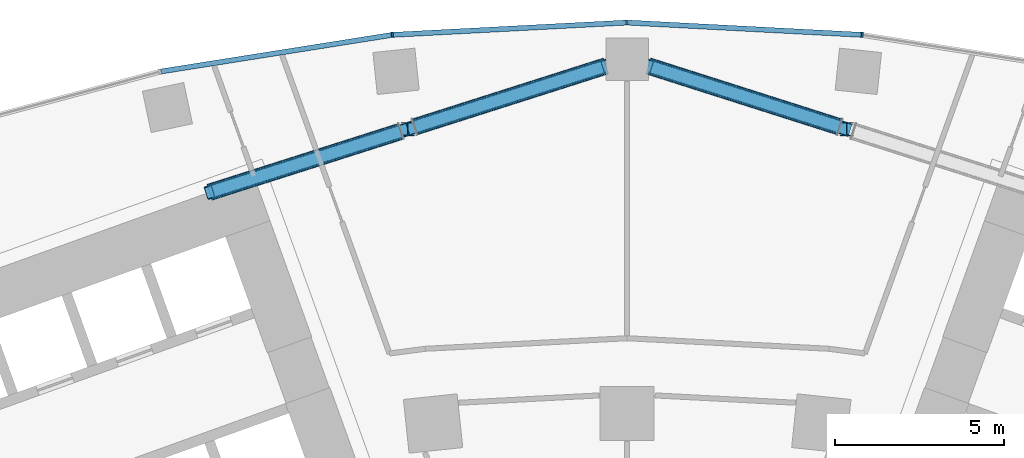
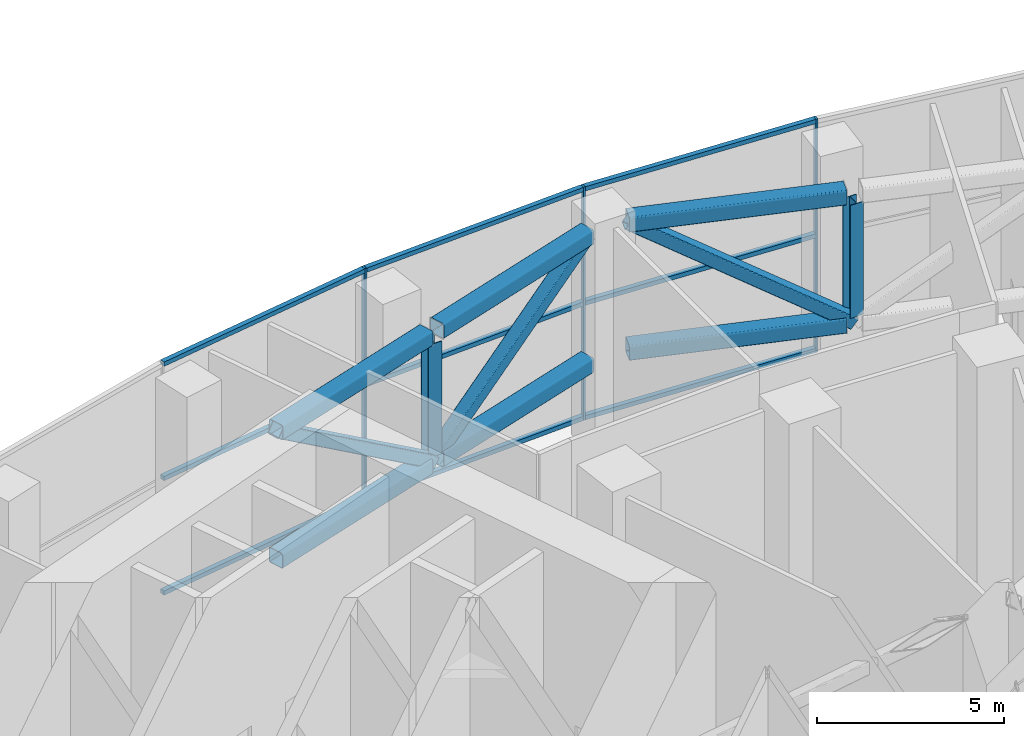
# One storey, part 8 of 33: 23 members, 1 element without a shape of its own.
"""IFC4 building model written with IfcOpenShell, lengths in metres."""

from ifc_helpers import new_model, si_unit, direction, frame, origin, origin_2d, place, context, subcontext, project, spatial, rectangle, hollow_rectangle, i_section, extrude, material, layer, layer_set, material_profile, profile_set, type_object, element, aggregate, save


model = new_model("IFC4")

# Units and contexts
model_context = context("Model", 3, precision=1e-05, world=origin(), true_north=direction((0.0, 1.0)))
body_context = subcontext(model_context, "Body", "Model", "MODEL_VIEW")
ifc_project = project(units=[si_unit("LENGTHUNIT", "METRE"), si_unit("AREAUNIT", "SQUARE_METRE"), si_unit("VOLUMEUNIT", "CUBIC_METRE"), si_unit("PLANEANGLEUNIT", "RADIAN"), si_unit("MASSUNIT", "GRAM", prefix="KILO")], contexts=[model_context])

# Site, building, storey
site_placement = place(None, origin())
site = spatial("IfcSite", under=ifc_project, at=site_placement, CompositionType="ELEMENT")
building_placement = place(site_placement, origin())
building = spatial("IfcBuilding", under=site, at=building_placement, Name="Stone Belt Terrace Tower", CompositionType="ELEMENT")
storey_placement = place(building_placement, frame((0.0, 0.0, 79.39990234375)))
storey = spatial("IfcBuildingStorey", under=building, at=storey_placement, Name="L19", CompositionType="ELEMENT", Elevation=79.39990234375)

# Curtain wall, members
ifc_material_1 = material(Name="Aluminium 6063-T6 anodised frame", Category="aluminium")
ifc_layer = layer(ifc_material_1, 0.14990234375)
ifc_layer_set = layer_set([ifc_layer], Name="CW-A unitised convex-face curtain wall")
curtain_wall_type = type_object("IfcCurtainWallType", Name="CW-A unitised convex-face curtain wall", PredefinedType="NOTDEFINED", material=ifc_layer_set)
curtain_wall_placement = place(storey_placement, origin())
curtain_wall = element("IfcCurtainWall", 1, at=curtain_wall_placement, inside=storey, type_object=curtain_wall_type, Name="CW-A convex face L19", PredefinedType="NOTDEFINED")
ifc_material_profile_1 = material_profile(ifc_material_1, rectangle(XDim=0.14990234375, YDim=0.06005859375, at=origin_2d()), Name="Aluminium 6063-T6 60x150")
ifc_profile_set_1 = profile_set([ifc_material_profile_1], Name="Aluminium 6063-T6 anodised frame")
member_type_1 = type_object("IfcMemberType", Name="CW-A mullion 60 x 150", PredefinedType="MULLION", material=ifc_profile_set_1)
member_1_placement = place(storey_placement, frame((6.958984375, 66.21044921875, 0.0), z_axis=(0.0, 0.0, 1.0), x_axis=(-0.104528463268, -0.994521895368, 0.0)))
member_1 = element("IfcMember", 2, at=member_1_placement, type_object=member_type_1, Name="CW-A mullion 9", PredefinedType="MULLION", context=body_context, shape_type="SweptSolid", body=[
    extrude(rectangle(XDim=0.14990234375, YDim=0.06005859375, at=origin_2d()), origin(), (0.0, 0.0, 1.0), 7.60009765625),
])
member_2_placement = place(storey_placement, frame((0.0, 66.5751953125, 0.0), z_axis=(0.0, 0.0, 1.0), x_axis=(0.0, -1.0, 0.0)))
member_2 = element("IfcMember", 3, at=member_2_placement, type_object=member_type_1, Name="CW-A mullion 10", PredefinedType="MULLION", context=body_context, shape_type="SweptSolid", body=[
    extrude(rectangle(XDim=0.14990234375, YDim=0.06005859375, at=origin_2d()), origin(), (0.0, 0.0, 1.0), 7.60009765625),
])
member_3_placement = place(storey_placement, frame((-6.958984375, 66.21044921875, 0.0), z_axis=(0.0, 0.0, 1.0), x_axis=(0.104528463268, -0.994521895368, 0.0)))
member_3 = element("IfcMember", 4, at=member_3_placement, type_object=member_type_1, Name="CW-A mullion 11", PredefinedType="MULLION", context=body_context, shape_type="SweptSolid", body=[
    extrude(rectangle(XDim=0.14990234375, YDim=0.06005859375, at=origin_2d()), origin(), (0.0, 0.0, 1.0), 7.60009765625),
])
ifc_material_profile_2 = material_profile(ifc_material_1, rectangle(XDim=0.14990234375, YDim=0.139892578125, at=origin_2d()), Name="Aluminium 6063-T6 150x140")
ifc_profile_set_2 = profile_set([ifc_material_profile_2], Name="Aluminium 6063-T6 anodised frame")
member_type_2 = type_object("IfcMemberType", Name="CW-A transom 140 x 150", PredefinedType="USERDEFINED", material=ifc_profile_set_2)
member_4_placement = place(storey_placement, frame((6.925048828125, 66.212158203125, 0.070068359375), z_axis=(-0.998630019135, 0.052326712899, 0.0), x_axis=(-0.052326712899, -0.998630019135, 0.0)))
member_4 = element("IfcMember", 5, at=member_4_placement, type_object=member_type_2, Name="CW-A transom 9.1", ObjectType="TRANSOM", PredefinedType="USERDEFINED", context=body_context, shape_type="SweptSolid", body=[
    extrude(rectangle(XDim=0.14990234375, YDim=0.139892578125, at=origin_2d()), origin(), (0.0, 0.0, 1.0), 6.900634765625),
])
member_5_placement = place(storey_placement, frame((6.925048828125, 66.212158203125, 3.800048828125), z_axis=(-0.998630019135, 0.052326712899, 0.0), x_axis=(-0.052326712899, -0.998630019135, 0.0)))
member_5 = element("IfcMember", 6, at=member_5_placement, type_object=member_type_2, Name="CW-A transom 9.2", ObjectType="TRANSOM", PredefinedType="USERDEFINED", context=body_context, shape_type="SweptSolid", body=[
    extrude(rectangle(XDim=0.14990234375, YDim=0.139892578125, at=origin_2d()), origin(), (0.0, 0.0, 1.0), 6.900634765625),
])
member_6_placement = place(storey_placement, frame((6.925048828125, 66.212158203125, 7.530029296875), z_axis=(-0.998630019135, 0.052326712899, 0.0), x_axis=(-0.052326712899, -0.998630019135, 0.0)))
member_6 = element("IfcMember", 7, at=member_6_placement, type_object=member_type_2, Name="CW-A transom 9.3", ObjectType="TRANSOM", PredefinedType="USERDEFINED", context=body_context, shape_type="SweptSolid", body=[
    extrude(rectangle(XDim=0.14990234375, YDim=0.139892578125, at=origin_2d()), origin(), (0.0, 0.0, 1.0), 6.900634765625),
])
member_7_placement = place(storey_placement, frame((-0.033935546875, 66.5732421875, 0.070068359375), z_axis=(-0.998630019135, -0.052326712899, 0.0), x_axis=(0.052326712899, -0.998630019135, 0.0)))
member_7 = element("IfcMember", 8, at=member_7_placement, type_object=member_type_2, Name="CW-A transom 10.1", ObjectType="TRANSOM", PredefinedType="USERDEFINED", context=body_context, shape_type="SweptSolid", body=[
    extrude(rectangle(XDim=0.14990234375, YDim=0.139892578125, at=origin_2d()), origin(), (0.0, 0.0, 1.0), 6.900634765625),
])
member_8_placement = place(storey_placement, frame((-0.033935546875, 66.5732421875, 3.800048828125), z_axis=(-0.998630019135, -0.052326712899, 0.0), x_axis=(0.052326712899, -0.998630019135, 0.0)))
member_8 = element("IfcMember", 9, at=member_8_placement, type_object=member_type_2, Name="CW-A transom 10.2", ObjectType="TRANSOM", PredefinedType="USERDEFINED", context=body_context, shape_type="SweptSolid", body=[
    extrude(rectangle(XDim=0.14990234375, YDim=0.139892578125, at=origin_2d()), origin(), (0.0, 0.0, 1.0), 6.900634765625),
])
member_9_placement = place(storey_placement, frame((-0.033935546875, 66.5732421875, 7.530029296875), z_axis=(-0.998630019135, -0.052326712899, 0.0), x_axis=(0.052326712899, -0.998630019135, 0.0)))
member_9 = element("IfcMember", 10, at=member_9_placement, type_object=member_type_2, Name="CW-A transom 10.3", ObjectType="TRANSOM", PredefinedType="USERDEFINED", context=body_context, shape_type="SweptSolid", body=[
    extrude(rectangle(XDim=0.14990234375, YDim=0.139892578125, at=origin_2d()), origin(), (0.0, 0.0, 1.0), 6.900634765625),
])
member_10_placement = place(storey_placement, frame((-6.992431640625, 66.205078125, 0.070068359375), z_axis=(-0.987687120531, -0.156442168027, 0.0), x_axis=(0.156442168027, -0.987687120531, 0.0)))
member_10 = element("IfcMember", 11, at=member_10_placement, type_object=member_type_2, Name="CW-A transom 11.1", ObjectType="TRANSOM", PredefinedType="USERDEFINED", context=body_context, shape_type="SweptSolid", body=[
    extrude(rectangle(XDim=0.14990234375, YDim=0.139892578125, at=origin_2d()), origin(), (0.0, 0.0, 1.0), 6.90087890625),
])
member_11_placement = place(storey_placement, frame((-6.992431640625, 66.205078125, 3.800048828125), z_axis=(-0.987687120531, -0.156442168027, 0.0), x_axis=(0.156442168027, -0.987687120531, 0.0)))
member_11 = element("IfcMember", 12, at=member_11_placement, type_object=member_type_2, Name="CW-A transom 11.2", ObjectType="TRANSOM", PredefinedType="USERDEFINED", context=body_context, shape_type="SweptSolid", body=[
    extrude(rectangle(XDim=0.14990234375, YDim=0.139892578125, at=origin_2d()), origin(), (0.0, 0.0, 1.0), 6.90087890625),
])
member_12_placement = place(storey_placement, frame((-6.992431640625, 66.205078125, 7.530029296875), z_axis=(-0.987687120531, -0.156442168027, 0.0), x_axis=(0.156442168027, -0.987687120531, 0.0)))
member_12 = element("IfcMember", 13, at=member_12_placement, type_object=member_type_2, Name="CW-A transom 11.3", ObjectType="TRANSOM", PredefinedType="USERDEFINED", context=body_context, shape_type="SweptSolid", body=[
    extrude(rectangle(XDim=0.14990234375, YDim=0.139892578125, at=origin_2d()), origin(), (0.0, 0.0, 1.0), 6.90087890625),
])
aggregate(curtain_wall, [member_1, member_2, member_3, member_4, member_5, member_6, member_7, member_8, member_9, member_10, member_11, member_12])

# Members
ifc_material_2 = material(Name="Structural steel C345", Category="steel")
ifc_material_profile_3 = material_profile(ifc_material_2, hollow_rectangle(XDim=0.5, YDim=0.5, WallThickness=0.02001953125, InnerFilletRadius=0.0400390625, OuterFilletRadius=0.06005859375, at=origin_2d()), Name="SHS 500x500x20")
ifc_profile_set_3 = profile_set([ifc_material_profile_3], Name="Structural steel C345")
member_type_3 = type_object("IfcMemberType", Name="Outrigger chord SHS 500x500x20", PredefinedType="CHORD", material=ifc_profile_set_3)
for number, where, z_axis, x_axis, name in (
    (14, (-0.625, 65.289794921875, 7.030029296875), (-0.952794051364, -0.303617350764, 0.0), (0.303617350764, -0.952794051364, 0.0), "Outrigger T1 coreA-mid-R top chord 1"),
    (15, (-0.625, 65.289794921875, 2.85009765625), (-0.952794051364, -0.303617350764, 0.0), (0.303617350764, -0.952794051364, 0.0), "Outrigger T1 coreA-mid-R bot chord 1"),
):
    element("IfcMember", number, at=place(storey_placement, frame(where, z_axis=z_axis, x_axis=x_axis)), inside=storey, type_object=member_type_3, Name=name, PredefinedType="CHORD", context=body_context, shape_type="SweptSolid", body=[
        extrude(hollow_rectangle(XDim=0.5, YDim=0.5, WallThickness=0.02001953125, InnerFilletRadius=0.0400390625, OuterFilletRadius=0.06005859375, at=origin_2d()), origin(), (0.0, 0.0, 1.0), 5.943115234375),
    ])
for number, where, z_axis, x_axis, name in (
    (16, (-6.709716796875, 63.350830078125, 7.030029296875), (-0.952802148234, -0.303591940475, 0.0), (0.303591940475, -0.952802148234, 0.0), "Outrigger T1 coreA-mid-R top chord 2"),
    (17, (-6.709716796875, 63.350830078125, 2.85009765625), (-0.952802148234, -0.303591940475, 0.0), (0.303591940475, -0.952802148234, 0.0), "Outrigger T1 coreA-mid-R bot chord 2"),
):
    element("IfcMember", number, at=place(storey_placement, frame(where, z_axis=z_axis, x_axis=x_axis)), inside=storey, type_object=member_type_3, Name=name, PredefinedType="CHORD", context=body_context, shape_type="SweptSolid", body=[
        extrude(hollow_rectangle(XDim=0.5, YDim=0.5, WallThickness=0.02001953125, InnerFilletRadius=0.0400390625, OuterFilletRadius=0.06005859375, at=origin_2d()), origin(), (0.0, 0.0, 1.0), 5.94287109375),
    ])
for number, where, z_axis, x_axis, name in (
    (18, (0.625, 65.289794921875, 7.030029296875), (0.952794051364, -0.303617350764, 0.0), (0.303617350764, 0.952794051364, 0.0), "Outrigger T1 coreB-mid-R top chord 1"),
    (19, (0.625, 65.289794921875, 2.85009765625), (0.952794051364, -0.303617350764, 0.0), (0.303617350764, 0.952794051364, 0.0), "Outrigger T1 coreB-mid-R bot chord 1"),
):
    element("IfcMember", number, at=place(storey_placement, frame(where, z_axis=z_axis, x_axis=x_axis)), inside=storey, type_object=member_type_3, Name=name, PredefinedType="CHORD", context=body_context, shape_type="SweptSolid", body=[
        extrude(hollow_rectangle(XDim=0.5, YDim=0.5, WallThickness=0.02001953125, InnerFilletRadius=0.0400390625, OuterFilletRadius=0.06005859375, at=origin_2d()), origin(), (0.0, 0.0, 1.0), 5.943115234375),
    ])
ifc_material_profile_4 = material_profile(ifc_material_2, hollow_rectangle(XDim=0.39990234375, YDim=0.39990234375, WallThickness=0.01611328125, InnerFilletRadius=0.031982421875, OuterFilletRadius=0.048095703125, at=origin_2d()), Name="SHS 400x400x16")
ifc_profile_set_4 = profile_set([ifc_material_profile_4], Name="Structural steel C345")
member_type_4 = type_object("IfcMemberType", Name="Outrigger diagonal SHS 400x400x16", PredefinedType="BRACE", material=ifc_profile_set_4)
for number, where, z_axis, x_axis, name in (
    (20, (-0.625, 65.289794921875, 7.030029296875), (-0.788603134784, -0.251285710834, -0.561213495329), (0.303605765191, -0.952797743145, 0.0), "Outrigger T1 coreA-mid-R diagonal 1"),
    (21, (-6.49853515625, 63.418212890625, 2.85009765625), (-0.788603134784, -0.251285710834, 0.561213495329), (0.303605765191, -0.952797743145, 0.0), "Outrigger T1 coreA-mid-R diagonal 2"),
    (22, (0.625, 65.289794921875, 7.030029296875), (0.788603134784, -0.251285710834, -0.561213495329), (0.303605765191, 0.952797743145, 0.0), "Outrigger T1 coreB-mid-R diagonal 1"),
):
    element("IfcMember", number, at=place(storey_placement, frame(where, z_axis=z_axis, x_axis=x_axis)), inside=storey, type_object=member_type_4, Name=name, PredefinedType="BRACE", context=body_context, shape_type="SweptSolid", body=[
        extrude(hollow_rectangle(XDim=0.39990234375, YDim=0.39990234375, WallThickness=0.01611328125, InnerFilletRadius=0.031982421875, OuterFilletRadius=0.048095703125, at=origin_2d()), origin(), (0.0, 0.0, 1.0), 7.447998046875),
    ])
ifc_material_profile_5 = material_profile(ifc_material_2, i_section(OverallWidth=0.403076171875, OverallDepth=0.406005859375, WebThickness=0.01611328125, FlangeThickness=0.02392578125, at=origin_2d()), Name="I 40K3")
ifc_profile_set_5 = profile_set([ifc_material_profile_5], Name="Structural steel C345")
member_type_5 = type_object("IfcMemberType", Name="Outrigger post I 40K3", PredefinedType="POST", material=ifc_profile_set_5)
for number, where, z_axis, x_axis, name in (
    (23, (-6.49853515625, 63.418212890625, 3.10009765625), (0.0, 0.0, 1.0), (1.0, 0.0, 0.0), "Outrigger T1 coreA-mid-R post 1"),
    (24, (6.49853515625, 63.418212890625, 3.10009765625), (0.0, 0.0, 1.0), (1.0, 0.0, 0.0), "Outrigger T1 coreB-mid-R post 1"),
):
    element("IfcMember", number, at=place(storey_placement, frame(where, z_axis=z_axis, x_axis=x_axis)), inside=storey, type_object=member_type_5, Name=name, PredefinedType="POST", context=body_context, shape_type="SweptSolid", body=[
        extrude(i_section(OverallWidth=0.403076171875, OverallDepth=0.406005859375, WebThickness=0.01611328125, FlangeThickness=0.02392578125, at=origin_2d()), origin(), (0.0, 0.0, 1.0), 3.679931640625),
    ])

save(model, "model.ifc")
